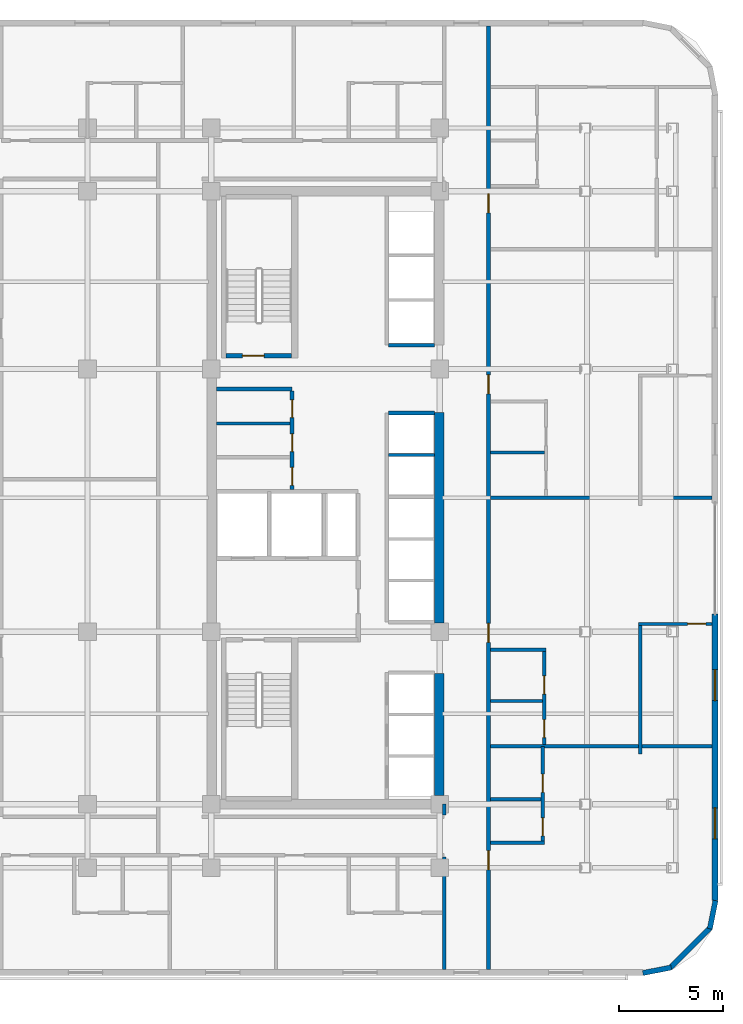
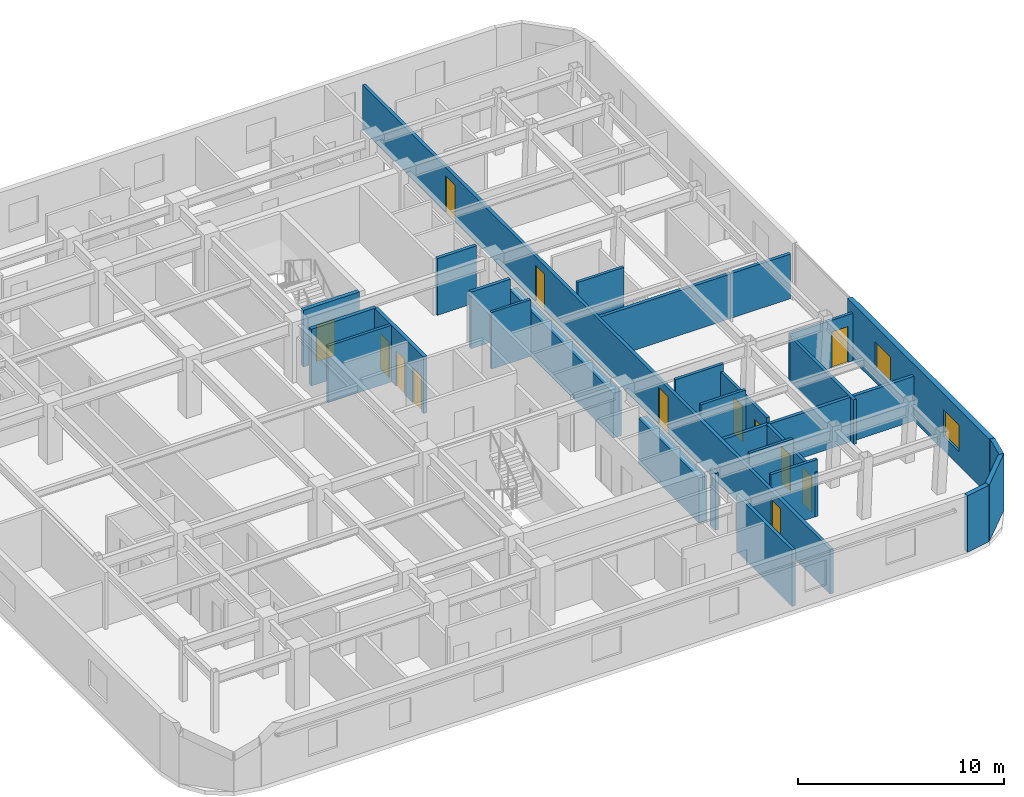
# One storey, part 9 of 15: 27 walls, 13 doors, 2 windows, 15 openings.
"""IFC4 building model written with IfcOpenShell, lengths in metres."""

from ifc_helpers import new_model, si_unit, direction, frame, frame_2d, origin, place, context, subcontext, project, spatial, rectangle, extrude, material, layer, layer_set, type_object, element, fill, save


model = new_model("IFC4")

# Units and contexts
model_context = context("Model", 3, precision=1e-05, world=origin(), true_north=direction((0.0, 1.0)))
body_context = subcontext(model_context, "Body", "Model", "MODEL_VIEW")
ifc_project = project(units=[si_unit("LENGTHUNIT", "METRE"), si_unit("AREAUNIT", "SQUARE_METRE"), si_unit("VOLUMEUNIT", "CUBIC_METRE"), si_unit("PLANEANGLEUNIT", "RADIAN"), si_unit("MASSUNIT", "GRAM", prefix="KILO")], contexts=[model_context])

# Site, building, storey
site_placement = place(None, origin())
site = spatial("IfcSite", under=ifc_project, at=site_placement, CompositionType="ELEMENT")
building_placement = place(site_placement, origin())
building = spatial("IfcBuilding", under=site, at=building_placement, Name="Ochreholt Gables", CompositionType="ELEMENT")
storey_placement = place(building_placement, frame((0.0, 0.0, 64.199951171875)))
storey = spatial("IfcBuildingStorey", under=building, at=storey_placement, Name="L16", CompositionType="ELEMENT", Elevation=64.199951171875)

# Walls
ifc_material_1 = material(Name="Concrete 60 MPa", Category="concrete")
ifc_layer_1 = layer(ifc_material_1, 0.449951171875, Name="Concrete 60 MPa")
ifc_layer_set_1 = layer_set([ifc_layer_1], Name="Concrete 60 MPa")
wall_type_1 = type_object("IfcWallType", Name="WALL-CSW-450", PredefinedType="SHEAR", material=ifc_layer_set_1)
wall_1_placement = place(storey_placement, frame((35.175048828125, 9.675048828125, 0.0), z_axis=(0.0, 0.0, 1.0), x_axis=(0.0, 1.0, 0.0)))
element("IfcWall", 1, at=wall_1_placement, inside=storey, type_object=wall_type_1, Name="L16 Core South-East Shear Wall", PredefinedType="SHEAR", context=body_context, shape_type="SweptSolid", body=[
    extrude(rectangle(XDim=5.875, YDim=0.449951171875, at=frame_2d((2.9375, 0.0))), origin(), (0.0, 0.0, 1.0), 2.6669921875),
])
wall_2_placement = place(storey_placement, frame((35.175048828125, 17.97509765625, 0.0), z_axis=(0.0, 0.0, 1.0), x_axis=(0.0, 1.0, 0.0)))
element("IfcWall", 2, at=wall_2_placement, inside=storey, type_object=wall_type_1, Name="L16 Core Central-East Shear Wall", PredefinedType="SHEAR", context=body_context, shape_type="SweptSolid", body=[
    extrude(rectangle(XDim=10.125, YDim=0.449951171875, at=frame_2d((5.0625, 0.0))), origin(), (0.0, 0.0, 1.0), 2.6669921875),
])

# Wall, openings, windows
ifc_material_2 = material(Name="Precast concrete 40 MPa", Category="concrete")
ifc_layer_2 = layer(ifc_material_2, 0.2900390625, Name="Precast concrete 40 MPa")
ifc_layer_set_2 = layer_set([ifc_layer_2], Name="Precast concrete 40 MPa")
wall_type_2 = type_object("IfcWallType", Name="WALL-EXT-290", PredefinedType="SOLIDWALL", material=ifc_layer_set_2)
wall_3_placement = place(storey_placement, frame((48.455078125, 4.6201171875, 0.0), z_axis=(0.0, 0.0, 1.0), x_axis=(0.0, 1.0, 0.0)))
wall_3 = element("IfcWall", 3, at=wall_3_placement, inside=storey, type_object=wall_type_2, Name="L16 East Facade Wall 1", PredefinedType="SOLIDWALL", context=body_context, shape_type="SweptSolid", body=[
    extrude(rectangle(XDim=13.77978515625, YDim=0.2900390625, at=frame_2d((6.889892578125, 0.0))), origin(), (0.0, 0.0, 1.0), 3.360107421875),
])
opening_1_placement = place(wall_3_placement, frame((2.9599609375, 0.0, 0.85009765625)))
opening_1 = element("IfcOpeningElement", 4, at=opening_1_placement, cuts=wall_3, Name="Opening WN-2", PredefinedType="OPENING", context=body_context, shape_type="SweptSolid", body=[
    extrude(rectangle(XDim=1.5, YDim=1.550048828125, at=frame_2d((0.75, 0.77490234375))), frame((0.0, 0.155029296875, 0.0), z_axis=(0.0, -1.0, 0.0), x_axis=(1.0, 0.0, 0.0)), (0.0, 0.0, 1.0), 0.31005859375),
])
opening_2_placement = place(wall_3_placement, frame((9.614990234375, 0.0, 0.85009765625)))
opening_2 = element("IfcOpeningElement", 5, at=opening_2_placement, cuts=wall_3, Name="Opening WN-2", PredefinedType="OPENING", context=body_context, shape_type="SweptSolid", body=[
    extrude(rectangle(XDim=1.5, YDim=1.550048828125, at=frame_2d((0.75, 0.77490234375))), frame((0.0, 0.155029296875, 0.0), z_axis=(0.0, -1.0, 0.0), x_axis=(1.0, 0.0, 0.0)), (0.0, 0.0, 1.0), 0.31005859375),
])
ifc_material_3 = material(Name="Triple-Glazed Thermally Broken Aluminium Window", Category="aluminium")
window_type = type_object("IfcWindowType", Name="WIN-RES-1500", PartitioningType="SINGLE_PANEL", PredefinedType="WINDOW", material=ifc_material_3)
window_1_placement = place(opening_1_placement, origin())
window_1 = element("IfcWindow", 6, at=window_1_placement, inside=storey, type_object=window_type, Name="L16 Window W-EXT-E1-L16-1", OverallHeight=1.550048828125, OverallWidth=1.5, PartitioningType="SINGLE_PANEL", PredefinedType="WINDOW", context=body_context, shape_type="SweptSolid", body=[
    extrude(rectangle(XDim=1.5, YDim=1.550048828125, at=frame_2d((0.75, 0.77490234375))), frame((0.0, 0.030029296875, 0.0), z_axis=(0.0, -1.0, 0.0), x_axis=(1.0, 0.0, 0.0)), (0.0, 0.0, 1.0), 0.06005859375),
])
fill(opening_1, window_1)
window_2_placement = place(opening_2_placement, origin())
window_2 = element("IfcWindow", 7, at=window_2_placement, inside=storey, type_object=window_type, Name="L16 Window W-EXT-E1-L16-2", OverallHeight=1.550048828125, OverallWidth=1.5, PartitioningType="SINGLE_PANEL", PredefinedType="WINDOW", context=body_context, shape_type="SweptSolid", body=[
    extrude(rectangle(XDim=1.5, YDim=1.550048828125, at=frame_2d((0.75, 0.77490234375))), frame((0.0, 0.030029296875, 0.0), z_axis=(0.0, -1.0, 0.0), x_axis=(1.0, 0.0, 0.0)), (0.0, 0.0, 1.0), 0.06005859375),
])
fill(opening_2, window_2)

# Walls
ifc_layer_3 = layer(ifc_material_2, 0.25, Name="Precast concrete 40 MPa")
ifc_layer_set_3 = layer_set([ifc_layer_3], Name="Precast concrete 40 MPa")
wall_type_3 = type_object("IfcWallType", Name="WALL-EXT-CNR", PredefinedType="SOLIDWALL", material=ifc_layer_set_3)
wall_4_placement = place(storey_placement, frame((44.9833984375, 1.124267578125, 0.0), z_axis=(0.0, 0.0, 1.0), x_axis=(0.980809899341, 0.19496651342, 0.0)))
element("IfcWall", 8, at=wall_4_placement, inside=storey, type_object=wall_type_3, Name="L16 Rounded Corner Wall SE-1", PredefinedType="SOLIDWALL", context=body_context, shape_type="SweptSolid", body=[
    extrude(rectangle(XDim=1.388671875, YDim=0.25, at=frame_2d((0.6943359375, 0.0))), origin(), (0.0, 0.0, 1.0), 3.360107421875),
])
wall_5_placement = place(storey_placement, frame((46.294921875, 1.367919921875, 0.0), z_axis=(0.0, 0.0, 1.0), x_axis=(0.707106781187, 0.707106781187, 0.0)))
element("IfcWall", 9, at=wall_5_placement, inside=storey, type_object=wall_type_3, Name="L16 Rounded Corner Wall SE-2", PredefinedType="SOLIDWALL", context=body_context, shape_type="SweptSolid", body=[
    extrude(rectangle(XDim=2.7392578125, YDim=0.25, at=frame_2d((1.36962890625, 0.0))), origin(), (0.0, 0.0, 1.0), 3.360107421875),
])
wall_6_placement = place(storey_placement, frame((48.205078125, 3.25439453125, 0.0), z_axis=(0.0, 0.0, 1.0), x_axis=(0.19496651342, 0.980809899341, 0.0)))
element("IfcWall", 10, at=wall_6_placement, inside=storey, type_object=wall_type_3, Name="L16 Rounded Corner Wall SE-3", PredefinedType="SOLIDWALL", context=body_context, shape_type="SweptSolid", body=[
    extrude(rectangle(XDim=1.388671875, YDim=0.25, at=frame_2d((0.6943359375, 0.0))), origin(), (0.0, 0.0, 1.0), 3.360107421875),
])
ifc_material_4 = material(Name="Concrete 40 MPa", Category="concrete")
ifc_layer_4 = layer(ifc_material_4, 0.199951171875, Name="Concrete 40 MPa")
ifc_layer_set_4 = layer_set([ifc_layer_4], Name="Concrete 40 MPa")
wall_type_4 = type_object("IfcWallType", Name="WALL-INT-CF200", PredefinedType="STANDARD", material=ifc_layer_set_4)
wall_7_placement = place(storey_placement, frame((24.449951171875, 29.239990234375, 0.0), z_axis=(0.0, 0.0, 1.0), x_axis=(1.0, 0.0, 0.0)))
element("IfcWall", 11, at=wall_7_placement, inside=storey, type_object=wall_type_4, Name="L16 Interior Wall WI-SRVN-L16", PredefinedType="STANDARD", context=body_context, shape_type="SweptSolid", body=[
    extrude(rectangle(XDim=3.650146484375, YDim=0.199951171875, at=frame_2d((1.8251953125, 0.0))), origin(), (0.0, 0.0, 1.0), 3.360107421875),
])

# Wall, openings, doors
wall_8_placement = place(storey_placement, frame((28.10009765625, 24.389892578125, 0.0), z_axis=(0.0, 0.0, 1.0), x_axis=(0.0, 1.0, 0.0)))
wall_8 = element("IfcWall", 12, at=wall_8_placement, inside=storey, type_object=wall_type_4, Name="L16 Interior Wall WI-SRVE-L16", PredefinedType="STANDARD", context=body_context, shape_type="SweptSolid", body=[
    extrude(rectangle(XDim=4.75, YDim=0.199951171875, at=frame_2d((2.375, 0.0))), origin(), (0.0, 0.0, 1.0), 3.360107421875),
])
opening_3_placement = place(wall_8_placement, frame((0.2099609375, 0.0, 0.0)))
opening_3 = element("IfcOpeningElement", 13, at=opening_3_placement, cuts=wall_8, Name="Opening D-SV2", PredefinedType="OPENING", context=body_context, shape_type="SweptSolid", body=[
    extrude(rectangle(XDim=0.860107421875, YDim=2.10009765625, at=frame_2d((0.43017578125, 1.050048828125))), frame((0.0, 0.10986328125, 0.0), z_axis=(0.0, -1.0, 0.0), x_axis=(1.0, 0.0, 0.0)), (0.0, 0.0, 1.0), 0.219970703125),
])
opening_4_placement = place(wall_8_placement, frame((1.830078125, 0.0, 0.0)))
opening_4 = element("IfcOpeningElement", 14, at=opening_4_placement, cuts=wall_8, Name="Opening D-SV2", PredefinedType="OPENING", context=body_context, shape_type="SweptSolid", body=[
    extrude(rectangle(XDim=0.860107421875, YDim=2.10009765625, at=frame_2d((0.43017578125, 1.050048828125))), frame((0.0, 0.10986328125, 0.0), z_axis=(0.0, -1.0, 0.0), x_axis=(1.0, 0.0, 0.0)), (0.0, 0.0, 1.0), 0.219970703125),
])
opening_5_placement = place(wall_8_placement, frame((3.469970703125, 0.0, 0.0)))
opening_5 = element("IfcOpeningElement", 15, at=opening_5_placement, cuts=wall_8, Name="Opening D-SV2", PredefinedType="OPENING", context=body_context, shape_type="SweptSolid", body=[
    extrude(rectangle(XDim=0.860107421875, YDim=2.10009765625, at=frame_2d((0.43017578125, 1.050048828125))), frame((0.0, 0.10986328125, 0.0), z_axis=(0.0, -1.0, 0.0), x_axis=(1.0, 0.0, 0.0)), (0.0, 0.0, 1.0), 0.219970703125),
])
ifc_material_5 = material(Name="Hollow Metal Steel", Category="steel")
door_type_1 = type_object("IfcDoorType", Name="DR-INT-SRV860", OperationType="NOTDEFINED", PredefinedType="DOOR", material=ifc_material_5)
door_1_placement = place(opening_3_placement, origin())
door_1 = element("IfcDoor", 16, at=door_1_placement, inside=storey, type_object=door_type_1, Name="L16 Door D-SRV1-L16", OperationType="SINGLE_SWING_LEFT", OverallHeight=2.10009765625, OverallWidth=0.860107421875, PredefinedType="DOOR", context=body_context, shape_type="SweptSolid", body=[
    extrude(rectangle(XDim=0.860107421875, YDim=2.10009765625, at=frame_2d((0.43017578125, 1.050048828125))), frame((0.0, 0.02490234375, 0.0), z_axis=(0.0, -1.0, 0.0), x_axis=(1.0, 0.0, 0.0)), (0.0, 0.0, 1.0), 0.050048828125),
])
fill(opening_3, door_1)
door_2_placement = place(opening_4_placement, origin())
door_2 = element("IfcDoor", 17, at=door_2_placement, inside=storey, type_object=door_type_1, Name="L16 Door D-SRV2-L16", OperationType="SINGLE_SWING_RIGHT", OverallHeight=2.10009765625, OverallWidth=0.860107421875, PredefinedType="DOOR", context=body_context, shape_type="SweptSolid", body=[
    extrude(rectangle(XDim=0.860107421875, YDim=2.10009765625, at=frame_2d((0.43017578125, 1.050048828125))), frame((0.0, 0.02490234375, 0.0), z_axis=(0.0, -1.0, 0.0), x_axis=(1.0, 0.0, 0.0)), (0.0, 0.0, 1.0), 0.050048828125),
])
fill(opening_4, door_2)
door_3_placement = place(opening_5_placement, origin())
door_3 = element("IfcDoor", 18, at=door_3_placement, inside=storey, type_object=door_type_1, Name="L16 Door D-SRV3-L16", OperationType="SINGLE_SWING_LEFT", OverallHeight=2.10009765625, OverallWidth=0.860107421875, PredefinedType="DOOR", context=body_context, shape_type="SweptSolid", body=[
    extrude(rectangle(XDim=0.860107421875, YDim=2.10009765625, at=frame_2d((0.43017578125, 1.050048828125))), frame((0.0, 0.02490234375, 0.0), z_axis=(0.0, -1.0, 0.0), x_axis=(1.0, 0.0, 0.0)), (0.0, 0.0, 1.0), 0.050048828125),
])
fill(opening_5, door_3)

ifc_material_6 = material(Name="Fire-Rated Gypsum Acoustic Partition", Category="gypsum")
ifc_layer_5 = layer(ifc_material_6, 0.179931640625, Name="Fire-Rated Gypsum Acoustic Partition")
ifc_layer_set_5 = layer_set([ifc_layer_5], Name="Fire-Rated Gypsum Acoustic Partition")
wall_type_5 = type_object("IfcWallType", Name="WALL-INT-CR180", PredefinedType="STANDARD", material=ifc_layer_set_5)
wall_9_placement = place(storey_placement, frame((37.550048828125, 1.2900390625, 0.0), z_axis=(0.0, 0.0, 1.0), x_axis=(0.0, 1.0, 0.0)))
wall_9 = element("IfcWall", 19, at=wall_9_placement, inside=storey, type_object=wall_type_5, Name="L16 Interior Wall WI-C1E-L16", PredefinedType="STANDARD", context=body_context, shape_type="SweptSolid", body=[
    extrude(rectangle(XDim=45.419921875, YDim=0.179931640625, at=frame_2d((22.7099609375, 0.0))), origin(), (0.0, 0.0, 1.0), 2.649169921875),
])
opening_6_placement = place(wall_9_placement, frame((4.81005859375, 0.0, 0.0)))
opening_6 = element("IfcOpeningElement", 20, at=opening_6_placement, cuts=wall_9, Name="Opening D-UN1", PredefinedType="OPENING", context=body_context, shape_type="SweptSolid", body=[
    extrude(rectangle(XDim=0.919921875, YDim=2.14990234375, at=frame_2d((0.4599609375, 1.074951171875))), frame((0.0, 0.099853515625, 0.0), z_axis=(0.0, -1.0, 0.0), x_axis=(1.0, 0.0, 0.0)), (0.0, 0.0, 1.0), 0.199951171875),
])
opening_7_placement = place(wall_9_placement, frame((15.75, 0.0, 0.0)))
opening_7 = element("IfcOpeningElement", 21, at=opening_7_placement, cuts=wall_9, Name="Opening D-UN1", PredefinedType="OPENING", context=body_context, shape_type="SweptSolid", body=[
    extrude(rectangle(XDim=0.919921875, YDim=2.14990234375, at=frame_2d((0.4599609375, 1.074951171875))), frame((0.0, 0.099853515625, 0.0), z_axis=(0.0, -1.0, 0.0), x_axis=(1.0, 0.0, 0.0)), (0.0, 0.0, 1.0), 0.199951171875),
])
opening_8_placement = place(wall_9_placement, frame((27.7099609375, 0.0, 0.0)))
opening_8 = element("IfcOpeningElement", 22, at=opening_8_placement, cuts=wall_9, Name="Opening D-UN1", PredefinedType="OPENING", context=body_context, shape_type="SweptSolid", body=[
    extrude(rectangle(XDim=0.919921875, YDim=2.14990234375, at=frame_2d((0.4599609375, 1.074951171875))), frame((0.0, 0.099853515625, 0.0), z_axis=(0.0, -1.0, 0.0), x_axis=(1.0, 0.0, 0.0)), (0.0, 0.0, 1.0), 0.199951171875),
])
opening_9_placement = place(wall_9_placement, frame((36.421630859375, 0.0, 0.0)))
opening_9 = element("IfcOpeningElement", 23, at=opening_9_placement, cuts=wall_9, Name="Opening D-UN1", PredefinedType="OPENING", context=body_context, shape_type="SweptSolid", body=[
    extrude(rectangle(XDim=0.919921875, YDim=2.14990234375, at=frame_2d((0.4599609375, 1.074951171875))), frame((0.0, 0.099853515625, 0.0), z_axis=(0.0, -1.0, 0.0), x_axis=(1.0, 0.0, 0.0)), (0.0, 0.0, 1.0), 0.199951171875),
])
ifc_material_7 = material(Name="Engineered Oak Timber", Category="wood")
door_type_2 = type_object("IfcDoorType", Name="DR-INT-UNT920", OperationType="NOTDEFINED", PredefinedType="DOOR", material=ifc_material_7)
door_4_placement = place(opening_6_placement, origin())
door_4 = element("IfcDoor", 24, at=door_4_placement, inside=storey, type_object=door_type_2, Name="L16 Door D-U-L16E1-ENT", OperationType="SINGLE_SWING_RIGHT", OverallHeight=2.14990234375, OverallWidth=0.919921875, PredefinedType="DOOR", context=body_context, shape_type="SweptSolid", body=[
    extrude(rectangle(XDim=0.919921875, YDim=2.14990234375, at=frame_2d((0.4599609375, 1.074951171875))), frame((0.0, 0.02490234375, 0.0), z_axis=(0.0, -1.0, 0.0), x_axis=(1.0, 0.0, 0.0)), (0.0, 0.0, 1.0), 0.050048828125),
])
fill(opening_6, door_4)
door_5_placement = place(opening_7_placement, origin())
door_5 = element("IfcDoor", 25, at=door_5_placement, inside=storey, type_object=door_type_2, Name="L16 Door D-U-L16E2-ENT", OperationType="SINGLE_SWING_LEFT", OverallHeight=2.14990234375, OverallWidth=0.919921875, PredefinedType="DOOR", context=body_context, shape_type="SweptSolid", body=[
    extrude(rectangle(XDim=0.919921875, YDim=2.14990234375, at=frame_2d((0.4599609375, 1.074951171875))), frame((0.0, 0.02490234375, 0.0), z_axis=(0.0, -1.0, 0.0), x_axis=(1.0, 0.0, 0.0)), (0.0, 0.0, 1.0), 0.050048828125),
])
fill(opening_7, door_5)
door_6_placement = place(opening_8_placement, origin())
door_6 = element("IfcDoor", 26, at=door_6_placement, inside=storey, type_object=door_type_2, Name="L16 Door D-U-L16E3-ENT", OperationType="SINGLE_SWING_RIGHT", OverallHeight=2.14990234375, OverallWidth=0.919921875, PredefinedType="DOOR", context=body_context, shape_type="SweptSolid", body=[
    extrude(rectangle(XDim=0.919921875, YDim=2.14990234375, at=frame_2d((0.4599609375, 1.074951171875))), frame((0.0, 0.02490234375, 0.0), z_axis=(0.0, -1.0, 0.0), x_axis=(1.0, 0.0, 0.0)), (0.0, 0.0, 1.0), 0.050048828125),
])
fill(opening_8, door_6)
door_7_placement = place(opening_9_placement, origin())
door_7 = element("IfcDoor", 27, at=door_7_placement, inside=storey, type_object=door_type_2, Name="L16 Door D-U-L16E4-ENT", OperationType="SINGLE_SWING_LEFT", OverallHeight=2.14990234375, OverallWidth=0.919921875, PredefinedType="DOOR", context=body_context, shape_type="SweptSolid", body=[
    extrude(rectangle(XDim=0.919921875, YDim=2.14990234375, at=frame_2d((0.4599609375, 1.074951171875))), frame((0.0, 0.02490234375, 0.0), z_axis=(0.0, -1.0, 0.0), x_axis=(1.0, 0.0, 0.0)), (0.0, 0.0, 1.0), 0.050048828125),
])
fill(opening_9, door_7)

# Walls
wall_10_placement = place(storey_placement, frame((35.419921875, 8.739990234375, 0.0), z_axis=(0.0, 0.0, 1.0), x_axis=(0.0, 1.0, 0.0)))
element("IfcWall", 28, at=wall_10_placement, inside=storey, type_object=wall_type_5, Name="L16 Interior Wall WI-C1ESW2-L16", PredefinedType="STANDARD", context=body_context, shape_type="SweptSolid", body=[
    extrude(rectangle(XDim=0.510009765625, YDim=0.179931640625, at=frame_2d((0.2548828125, 0.0))), origin(), (0.0, 0.0, 1.0), 3.360107421875),
])
ifc_material_8 = material(Name="Double-Stud Acoustic Demising Wall", Category="gypsum")
ifc_layer_6 = layer(ifc_material_8, 0.179931640625, Name="Double-Stud Acoustic Demising Wall")
ifc_layer_set_6 = layer_set([ifc_layer_6], Name="Double-Stud Acoustic Demising Wall")
wall_type_6 = type_object("IfcWallType", Name="WALL-INT-DM180", PredefinedType="PARTITIONING", material=ifc_layer_set_6)
wall_11_placement = place(storey_placement, frame((35.419921875, 1.2900390625, 0.0), z_axis=(0.0, 0.0, 1.0), x_axis=(0.0, 1.0, 0.0)))
element("IfcWall", 29, at=wall_11_placement, inside=storey, type_object=wall_type_6, Name="L16 Interior Wall WI-C1ESW-L16", PredefinedType="PARTITIONING", context=body_context, shape_type="SweptSolid", body=[
    extrude(rectangle(XDim=5.419921875, YDim=0.179931640625, at=frame_2d((2.7099609375, 0.0))), origin(), (0.0, 0.0, 1.0), 3.360107421875),
])
for number, where, z_axis, x_axis, name in (
    (30, (37.639892578125, 12.0400390625, 0.0), (0.0, 0.0, 1.0), (1.0, 0.0, 0.0), "L16 Interior Wall WI-UDE2-L16"),
    (31, (37.639892578125, 24.0, 0.0), (0.0, 0.0, 1.0), (1.0, 0.0, 0.0), "L16 Interior Wall WI-UDE3-L16"),
):
    element("IfcWall", number, at=place(storey_placement, frame(where, z_axis=z_axis, x_axis=x_axis)), inside=storey, type_object=wall_type_6, Name=name, PredefinedType="PARTITIONING", context=body_context, shape_type="SweptSolid", body=[
        extrude(rectangle(XDim=10.670166015625, YDim=0.179931640625, at=frame_2d((5.3349609375, 0.0))), origin(), (0.0, 0.0, 1.0), 2.649169921875),
    ])
ifc_material_9 = material(Name="Moisture-Resistant Plumbing Chase Wall", Category="gypsum")
ifc_layer_7 = layer(ifc_material_9, 0.159912109375, Name="Moisture-Resistant Plumbing Chase Wall")
ifc_layer_set_7 = layer_set([ifc_layer_7], Name="Moisture-Resistant Plumbing Chase Wall")
wall_type_7 = type_object("IfcWallType", Name="WALL-INT-PL160", PredefinedType="PLUMBINGWALL", material=ifc_layer_set_7)
wall_12_placement = place(storey_placement, frame((37.639892578125, 7.39990234375, 0.0), z_axis=(0.0, 0.0, 1.0), x_axis=(1.0, 0.0, 0.0)))
element("IfcWall", 32, at=wall_12_placement, inside=storey, type_object=wall_type_7, Name="L16 Interior Wall WU-L16E1-WYS", PredefinedType="PLUMBINGWALL", context=body_context, shape_type="SweptSolid", body=[
    extrude(rectangle(XDim=2.606201171875, YDim=0.159912109375, at=frame_2d((1.30322265625, 0.0))), origin(), (0.0, 0.0, 1.0), 3.360107421875),
])

# Wall, openings, doors
wall_13_placement = place(storey_placement, frame((40.166015625, 7.31005859375, 0.0), z_axis=(0.0, 0.0, 1.0), x_axis=(0.0, 1.0, 0.0)))
wall_13 = element("IfcWall", 33, at=wall_13_placement, inside=storey, type_object=wall_type_7, Name="L16 Interior Wall WU-L16E1-WX", PredefinedType="PLUMBINGWALL", context=body_context, shape_type="SweptSolid", body=[
    extrude(rectangle(XDim=4.72998046875, YDim=0.159912109375, at=frame_2d((2.364990234375, 0.0))), origin(), (0.0, 0.0, 1.0), 2.649169921875),
])
opening_10_placement = place(wall_13_placement, frame((0.419921875, 0.0, 0.0)))
opening_10 = element("IfcOpeningElement", 34, at=opening_10_placement, cuts=wall_13, Name="Opening D-BT1", PredefinedType="OPENING", context=body_context, shape_type="SweptSolid", body=[
    extrude(rectangle(XDim=0.860107421875, YDim=2.1201171875, at=frame_2d((0.43017578125, 1.06005859375))), frame((0.0, 0.08984375, 0.0), z_axis=(0.0, -1.0, 0.0), x_axis=(1.0, 0.0, 0.0)), (0.0, 0.0, 1.0), 0.179931640625),
])
opening_11_placement = place(wall_13_placement, frame((2.512939453125, 0.0, 0.0)))
opening_11 = element("IfcOpeningElement", 35, at=opening_11_placement, cuts=wall_13, Name="Opening D-GN2", PredefinedType="OPENING", context=body_context, shape_type="SweptSolid", body=[
    extrude(rectangle(XDim=0.8798828125, YDim=2.1201171875, at=frame_2d((0.43994140625, 1.06005859375))), frame((0.0, 0.08984375, 0.0), z_axis=(0.0, -1.0, 0.0), x_axis=(1.0, 0.0, 0.0)), (0.0, 0.0, 1.0), 0.179931640625),
])
door_type_3 = type_object("IfcDoorType", Name="DR-INT-BTH860", OperationType="NOTDEFINED", PredefinedType="DOOR", material=ifc_material_7)
door_8_placement = place(opening_10_placement, origin())
door_8 = element("IfcDoor", 36, at=door_8_placement, inside=storey, type_object=door_type_3, Name="L16 Door D-U-L16E1-BTH", OperationType="SINGLE_SWING_LEFT", OverallHeight=2.1201171875, OverallWidth=0.860107421875, PredefinedType="DOOR", context=body_context, shape_type="SweptSolid", body=[
    extrude(rectangle(XDim=0.860107421875, YDim=2.1201171875, at=frame_2d((0.43017578125, 1.06005859375))), frame((0.0, 0.02490234375, 0.0), z_axis=(0.0, -1.0, 0.0), x_axis=(1.0, 0.0, 0.0)), (0.0, 0.0, 1.0), 0.050048828125),
])
fill(opening_10, door_8)
door_type_4 = type_object("IfcDoorType", Name="DR-INT-GEN880", OperationType="NOTDEFINED", PredefinedType="DOOR", material=ifc_material_7)
door_9_placement = place(opening_11_placement, origin())
door_9 = element("IfcDoor", 37, at=door_9_placement, inside=storey, type_object=door_type_4, Name="L16 Door D-U-L16E1-KIT", OperationType="SINGLE_SWING_RIGHT", OverallHeight=2.1201171875, OverallWidth=0.8798828125, PredefinedType="DOOR", context=body_context, shape_type="SweptSolid", body=[
    extrude(rectangle(XDim=0.8798828125, YDim=2.1201171875, at=frame_2d((0.43994140625, 1.06005859375))), frame((0.0, 0.02490234375, 0.0), z_axis=(0.0, -1.0, 0.0), x_axis=(1.0, 0.0, 0.0)), (0.0, 0.0, 1.0), 0.050048828125),
])
fill(opening_11, door_9)

# Walls
wall_14_placement = place(storey_placement, frame((37.639892578125, 9.492919921875, 0.0), z_axis=(0.0, 0.0, 1.0), x_axis=(1.0, 0.0, 0.0)))
element("IfcWall", 38, at=wall_14_placement, inside=storey, type_object=wall_type_7, Name="L16 Interior Wall WU-L16E1-WM", PredefinedType="PLUMBINGWALL", context=body_context, shape_type="SweptSolid", body=[
    extrude(rectangle(XDim=2.446044921875, YDim=0.159912109375, at=frame_2d((1.22314453125, 0.0))), origin(), (0.0, 0.0, 1.0), 3.360107421875),
])
wall_15_placement = place(storey_placement, frame((37.639892578125, 16.679931640625, 0.0), z_axis=(0.0, 0.0, 1.0), x_axis=(1.0, 0.0, 0.0)))
element("IfcWall", 39, at=wall_15_placement, inside=storey, type_object=wall_type_7, Name="L16 Interior Wall WU-L16E2-WYN", PredefinedType="PLUMBINGWALL", context=body_context, shape_type="SweptSolid", body=[
    extrude(rectangle(XDim=2.68212890625, YDim=0.159912109375, at=frame_2d((1.341064453125, 0.0))), origin(), (0.0, 0.0, 1.0), 3.360107421875),
])

# Wall, openings, doors
wall_16_placement = place(storey_placement, frame((40.241943359375, 12.1298828125, 0.0), z_axis=(0.0, 0.0, 1.0), x_axis=(0.0, 1.0, 0.0)))
wall_16 = element("IfcWall", 40, at=wall_16_placement, inside=storey, type_object=wall_type_7, Name="L16 Interior Wall WU-L16E2-WX", PredefinedType="PLUMBINGWALL", context=body_context, shape_type="SweptSolid", body=[
    extrude(rectangle(XDim=4.64013671875, YDim=0.159912109375, at=frame_2d((2.320068359375, 0.0))), origin(), (0.0, 0.0, 1.0), 2.93212890625),
])
opening_12_placement = place(wall_16_placement, frame((0.330078125, 0.0, 0.0)))
opening_12 = element("IfcOpeningElement", 41, at=opening_12_placement, cuts=wall_16, Name="Opening D-BT1", PredefinedType="OPENING", context=body_context, shape_type="SweptSolid", body=[
    extrude(rectangle(XDim=0.860107421875, YDim=2.1201171875, at=frame_2d((0.43017578125, 1.06005859375))), frame((0.0, 0.08984375, 0.0), z_axis=(0.0, -1.0, 0.0), x_axis=(1.0, 0.0, 0.0)), (0.0, 0.0, 1.0), 0.179931640625),
])
opening_13_placement = place(wall_16_placement, frame((2.423095703125, 0.0, 0.0)))
opening_13 = element("IfcOpeningElement", 42, at=opening_13_placement, cuts=wall_16, Name="Opening D-GN2", PredefinedType="OPENING", context=body_context, shape_type="SweptSolid", body=[
    extrude(rectangle(XDim=0.8798828125, YDim=2.1201171875, at=frame_2d((0.43994140625, 1.06005859375))), frame((0.0, 0.08984375, 0.0), z_axis=(0.0, -1.0, 0.0), x_axis=(1.0, 0.0, 0.0)), (0.0, 0.0, 1.0), 0.179931640625),
])
door_10_placement = place(opening_12_placement, origin())
door_10 = element("IfcDoor", 43, at=door_10_placement, inside=storey, type_object=door_type_3, Name="L16 Door D-U-L16E2-BTH", OperationType="SINGLE_SWING_RIGHT", OverallHeight=2.1201171875, OverallWidth=0.860107421875, PredefinedType="DOOR", context=body_context, shape_type="SweptSolid", body=[
    extrude(rectangle(XDim=0.860107421875, YDim=2.1201171875, at=frame_2d((0.43017578125, 1.06005859375))), frame((0.0, 0.02490234375, 0.0), z_axis=(0.0, -1.0, 0.0), x_axis=(1.0, 0.0, 0.0)), (0.0, 0.0, 1.0), 0.050048828125),
])
fill(opening_12, door_10)
door_11_placement = place(opening_13_placement, origin())
door_11 = element("IfcDoor", 44, at=door_11_placement, inside=storey, type_object=door_type_4, Name="L16 Door D-U-L16E2-KIT", OperationType="SINGLE_SWING_LEFT", OverallHeight=2.1201171875, OverallWidth=0.8798828125, PredefinedType="DOOR", context=body_context, shape_type="SweptSolid", body=[
    extrude(rectangle(XDim=0.8798828125, YDim=2.1201171875, at=frame_2d((0.43994140625, 1.06005859375))), frame((0.0, 0.02490234375, 0.0), z_axis=(0.0, -1.0, 0.0), x_axis=(1.0, 0.0, 0.0)), (0.0, 0.0, 1.0), 0.050048828125),
])
fill(opening_13, door_11)

# Walls
wall_17_placement = place(storey_placement, frame((37.639892578125, 14.222900390625, 0.0), z_axis=(0.0, 0.0, 1.0), x_axis=(1.0, 0.0, 0.0)))
element("IfcWall", 45, at=wall_17_placement, inside=storey, type_object=wall_type_7, Name="L16 Interior Wall WU-L16E2-WM", PredefinedType="PLUMBINGWALL", context=body_context, shape_type="SweptSolid", body=[
    extrude(rectangle(XDim=2.522216796875, YDim=0.159912109375, at=frame_2d((1.26123046875, 0.0))), origin(), (0.0, 0.0, 1.0), 3.360107421875),
])
wall_18_placement = place(storey_placement, frame((37.639892578125, 26.18310546875, 0.0), z_axis=(0.0, 0.0, 1.0), x_axis=(1.0, 0.0, 0.0)))
element("IfcWall", 46, at=wall_18_placement, inside=storey, type_object=wall_type_7, Name="L16 Interior Wall WU-L16E3-WM", PredefinedType="PLUMBINGWALL", context=body_context, shape_type="SweptSolid", body=[
    extrude(rectangle(XDim=2.59814453125, YDim=0.159912109375, at=frame_2d((1.299072265625, 0.0))), origin(), (0.0, 0.0, 1.0), 3.360107421875),
])
ifc_material_10 = material(Name="Gypsum Acoustic Stud Partition", Category="gypsum")
ifc_layer_8 = layer(ifc_material_10, 0.159912109375, Name="Gypsum Acoustic Stud Partition")
ifc_layer_set_8 = layer_set([ifc_layer_8], Name="Gypsum Acoustic Stud Partition")
wall_type_8 = type_object("IfcWallType", Name="WALL-INT-PT160", PredefinedType="PARTITIONING", material=ifc_layer_set_8)
wall_19_placement = place(storey_placement, frame((24.449951171875, 27.580078125, 0.0), z_axis=(0.0, 0.0, 1.0), x_axis=(1.0, 0.0, 0.0)))
element("IfcWall", 47, at=wall_19_placement, inside=storey, type_object=wall_type_8, Name="L16 Interior Wall WI-SRVP2-L16", PredefinedType="PARTITIONING", context=body_context, shape_type="SweptSolid", body=[
    extrude(rectangle(XDim=3.550048828125, YDim=0.159912109375, at=frame_2d((1.77490234375, 0.0))), origin(), (0.0, 0.0, 1.0), 3.360107421875),
])
wall_20_placement = place(storey_placement, frame((44.85009765625, 11.679931640625, 0.0), z_axis=(0.0, 0.0, 1.0), x_axis=(0.0, 1.0, 0.0)))
element("IfcWall", 48, at=wall_20_placement, inside=storey, type_object=wall_type_8, Name="L16 Interior Wall WU-L16E2-STW", PredefinedType="PARTITIONING", context=body_context, shape_type="SweptSolid", body=[
    extrude(rectangle(XDim=6.25, YDim=0.159912109375, at=frame_2d((3.125, 0.0))), origin(), (0.0, 0.0, 1.0), 2.649169921875),
])

# Wall, opening, door
wall_21_placement = place(storey_placement, frame((44.77001953125, 17.929931640625, 0.0), z_axis=(0.0, 0.0, 1.0), x_axis=(1.0, 0.0, 0.0)))
wall_21 = element("IfcWall", 49, at=wall_21_placement, inside=storey, type_object=wall_type_8, Name="L16 Interior Wall WU-L16E2-STN", PredefinedType="PARTITIONING", context=body_context, shape_type="SweptSolid", body=[
    extrude(rectangle(XDim=3.5400390625, YDim=0.159912109375, at=frame_2d((1.77001953125, 0.0))), origin(), (0.0, 0.0, 1.0), 2.80908203125),
])
opening_14_placement = place(wall_21_placement, frame((2.3701171875, 0.0, 0.0)))
opening_14 = element("IfcOpeningElement", 50, at=opening_14_placement, cuts=wall_21, Name="Opening D-GN2", PredefinedType="OPENING", context=body_context, shape_type="SweptSolid", body=[
    extrude(rectangle(XDim=0.8798828125, YDim=2.1201171875, at=frame_2d((0.43994140625, 1.06005859375))), frame((0.0, 0.08984375, 0.0), z_axis=(0.0, -1.0, 0.0), x_axis=(1.0, 0.0, 0.0)), (0.0, 0.0, 1.0), 0.179931640625),
])
door_12_placement = place(opening_14_placement, origin())
door_12 = element("IfcDoor", 51, at=door_12_placement, inside=storey, type_object=door_type_4, Name="L16 Door D-U-L16E2-STD", OperationType="SINGLE_SWING_RIGHT", OverallHeight=2.1201171875, OverallWidth=0.8798828125, PredefinedType="DOOR", context=body_context, shape_type="SweptSolid", body=[
    extrude(rectangle(XDim=0.8798828125, YDim=2.1201171875, at=frame_2d((0.43994140625, 1.06005859375))), frame((0.0, 0.02490234375, 0.0), z_axis=(0.0, -1.0, 0.0), x_axis=(1.0, 0.0, 0.0)), (0.0, 0.0, 1.0), 0.050048828125),
])
fill(opening_14, door_12)

# Walls
ifc_material_11 = material(Name="Gypsum Shaftliner and Steel Stud", Category="steel")
ifc_layer_9 = layer(ifc_material_11, 0.14990234375, Name="Gypsum Shaftliner and Steel Stud")
ifc_layer_set_9 = layer_set([ifc_layer_9], Name="Gypsum Shaftliner and Steel Stud")
wall_type_9 = type_object("IfcWallType", Name="WALL-INT-SH150", PredefinedType="STANDARD", material=ifc_layer_set_9)
wall_22_placement = place(storey_placement, frame((32.739990234375, 26.070068359375, 0.0), z_axis=(0.0, 0.0, 1.0), x_axis=(1.0, 0.0, 0.0)))
element("IfcWall", 52, at=wall_22_placement, inside=storey, type_object=wall_type_9, Name="L16 Interior Wall WI-LFHE-DEX1-L16", PredefinedType="STANDARD", context=body_context, shape_type="SweptSolid", body=[
    extrude(rectangle(XDim=2.2099609375, YDim=0.14990234375, at=frame_2d((1.10498046875, 0.0))), origin(), (0.0, 0.0, 1.0), 3.360107421875),
])
ifc_layer_10 = layer(ifc_material_11, 0.179931640625, Name="Gypsum Shaftliner and Steel Stud")
ifc_layer_set_10 = layer_set([ifc_layer_10], Name="Gypsum Shaftliner and Steel Stud")
wall_type_10 = type_object("IfcWallType", Name="WALL-INT-SH180", PredefinedType="STANDARD", material=ifc_layer_set_10)
for number, where, z_axis, x_axis, name in (
    (53, (32.739990234375, 28.080078125, 0.0), (0.0, 0.0, 1.0), (1.0, 0.0, 0.0), "L16 Interior Wall WI-LFHE-N-L16"),
    (54, (32.739990234375, 31.35009765625, 0.0), (0.0, 0.0, 1.0), (1.0, 0.0, 0.0), "L16 Interior Wall WI-LFM-S-L16"),
):
    element("IfcWall", number, at=place(storey_placement, frame(where, z_axis=z_axis, x_axis=x_axis)), inside=storey, type_object=wall_type_10, Name=name, PredefinedType="STANDARD", context=body_context, shape_type="SweptSolid", body=[
        extrude(rectangle(XDim=2.2099609375, YDim=0.179931640625, at=frame_2d((1.10498046875, 0.0))), origin(), (0.0, 0.0, 1.0), 3.360107421875),
    ])

# Wall, opening, door
ifc_material_12 = material(Name="Concrete 50 MPa", Category="concrete")
ifc_layer_11 = layer(ifc_material_12, 0.219970703125, Name="Concrete 50 MPa")
ifc_layer_set_11 = layer_set([ifc_layer_11], Name="Concrete 50 MPa")
wall_type_11 = type_object("IfcWallType", Name="WALL-STW-220", PredefinedType="SHEAR", material=ifc_layer_set_11)
wall_23_placement = place(storey_placement, frame((24.919921875, 30.830078125, 0.0), z_axis=(0.0, 0.0, 1.0), x_axis=(1.0, 0.0, 0.0)))
wall_23 = element("IfcWall", 55, at=wall_23_placement, inside=storey, type_object=wall_type_11, Name="L16 Exit Stair 2 South Wall", PredefinedType="SHEAR", context=body_context, shape_type="SweptSolid", body=[
    extrude(rectangle(XDim=3.16015625, YDim=0.219970703125, at=frame_2d((1.580078125, 0.0))), origin(), (0.0, 0.0, 1.0), 3.360107421875),
])
opening_15_placement = place(wall_23_placement, frame((0.780029296875, 0.0, 0.0)))
opening_15 = element("IfcOpeningElement", 56, at=opening_15_placement, cuts=wall_23, Name="Opening D-STC", PredefinedType="OPENING", context=body_context, shape_type="SweptSolid", body=[
    extrude(rectangle(XDim=1.050048828125, YDim=2.14990234375, at=frame_2d((0.52490234375, 1.074951171875))), frame((0.0, 0.119873046875, 0.0), z_axis=(0.0, -1.0, 0.0), x_axis=(1.0, 0.0, 0.0)), (0.0, 0.0, 1.0), 0.239990234375),
])
door_type_5 = type_object("IfcDoorType", Name="DR-INT-ST1050", OperationType="NOTDEFINED", PredefinedType="DOOR", material=ifc_material_5)
door_13_placement = place(opening_15_placement, origin())
door_13 = element("IfcDoor", 57, at=door_13_placement, inside=storey, type_object=door_type_5, Name="L16 Door D-ST2-L16", OperationType="SINGLE_SWING_RIGHT", OverallHeight=2.14990234375, OverallWidth=1.050048828125, PredefinedType="DOOR", context=body_context, shape_type="SweptSolid", body=[
    extrude(rectangle(XDim=1.050048828125, YDim=2.14990234375, at=frame_2d((0.52490234375, 1.074951171875))), frame((0.0, 0.02490234375, 0.0), z_axis=(0.0, -1.0, 0.0), x_axis=(1.0, 0.0, 0.0)), (0.0, 0.0, 1.0), 0.050048828125),
])
fill(opening_15, door_13)

save(model, "model.ifc")
